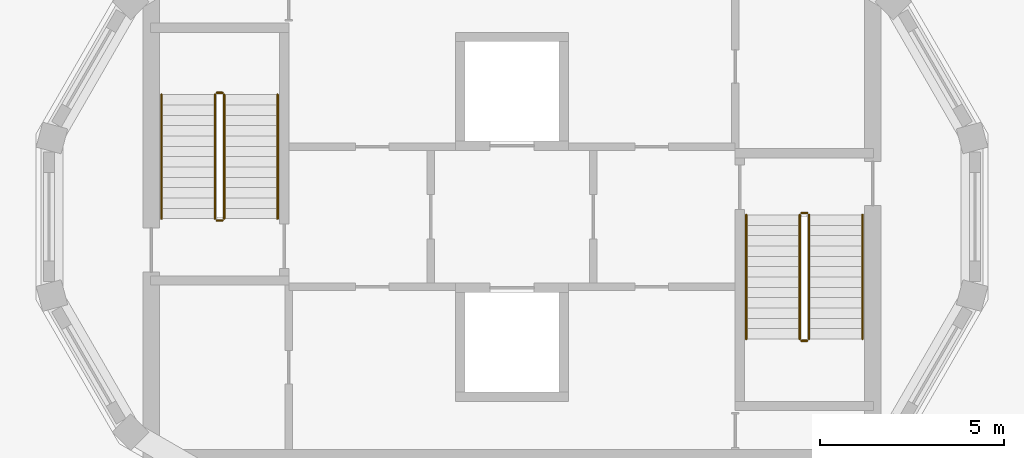
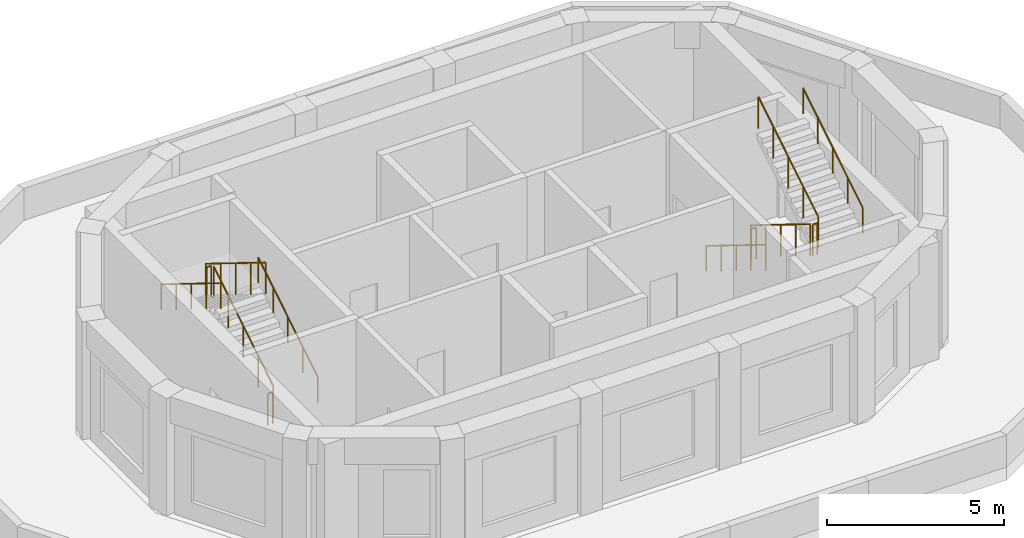
# One storey, part 4 of 4: 12 railings.
"""IFC4 building model written with IfcOpenShell, lengths in metres."""

from ifc_helpers import new_model, si_unit, direction, frame, origin, origin_2d, place, context, subcontext, project, spatial, circle, extrude, material, type_object, element, save


model = new_model("IFC4")

# Units and contexts
model_context = context("Model", 3, precision=1e-05, world=origin(), true_north=direction((0.0, 1.0)))
body_context = subcontext(model_context, "Body", "Model", "MODEL_VIEW")
ifc_project = project(units=[si_unit("LENGTHUNIT", "METRE"), si_unit("AREAUNIT", "SQUARE_METRE"), si_unit("VOLUMEUNIT", "CUBIC_METRE"), si_unit("PLANEANGLEUNIT", "RADIAN"), si_unit("MASSUNIT", "GRAM", prefix="KILO")], contexts=[model_context])

# Site, building, storey
site_placement = place(None, origin())
site = spatial("IfcSite", under=ifc_project, at=site_placement, CompositionType="ELEMENT")
building_placement = place(site_placement, origin())
building = spatial("IfcBuilding", under=site, at=building_placement, Name="Dhurran Vertical Campus", CompositionType="ELEMENT")
storey_placement = place(building_placement, frame((0.0, 0.0, 332.39990234375)))
storey = spatial("IfcBuildingStorey", under=building, at=storey_placement, Name="L81 Plant", CompositionType="ELEMENT", Elevation=332.39990234375)

# Railings
ifc_material_1 = material(Name="Stainless steel balustrade", Category="steel")
railing_type_1 = type_object("IfcRailingType", Name="co-RL-GUARD-1100", PredefinedType="GUARDRAIL", material=ifc_material_1)
railing_1_placement = place(storey_placement, frame((-7.800048828125, -0.050048828125, 0.173095703125)))
element("IfcRailing", 1, at=railing_1_placement, inside=storey, type_object=railing_type_1, Name="L81 Plant ST5 stair guard 1", PredefinedType="GUARDRAIL", context=body_context, shape_type="SweptSolid", body=[
    extrude(circle(Radius=0.02392578125, at=origin_2d()), frame((0.0, 0.0, 1.076171875), z_axis=(0.0, 0.850623216509, 0.525775754039), x_axis=(-1.0, 0.0, 0.0)), (0.0, 0.0, 1.0), 3.9501953125),
    extrude(circle(Radius=0.02099609375, at=origin_2d()), origin(), (0.0, 0.0, 1.0), 1.052001953125),
    extrude(circle(Radius=0.02099609375, at=origin_2d()), frame((0.0, 0.840087890625, 0.519287109375)), (0.0, 0.0, 1.0), 1.052001953125),
    extrude(circle(Radius=0.02099609375, at=origin_2d()), frame((0.0, 1.68017578125, 1.03857421875)), (0.0, 0.0, 1.0), 1.052001953125),
    extrude(circle(Radius=0.02099609375, at=origin_2d()), frame((0.0, 2.52001953125, 1.5576171875)), (0.0, 0.0, 1.0), 1.052001953125),
    extrude(circle(Radius=0.02099609375, at=origin_2d()), frame((0.0, 3.360107421875, 2.076904296875)), (0.0, 0.0, 1.0), 1.052001953125),
])
railing_2_placement = place(storey_placement, frame((-7.85009765625, 3.360107421875, 2.25)))
element("IfcRailing", 2, at=railing_2_placement, inside=storey, type_object=railing_type_1, Name="L81 Plant ST5 stair guard 2", PredefinedType="GUARDRAIL", context=body_context, shape_type="SweptSolid", body=[
    extrude(circle(Radius=0.02392578125, at=origin_2d()), frame((0.0, 0.0, 1.076171875), z_axis=(-1.0, 0.0, 0.0), x_axis=(0.0, -1.0, 0.0)), (0.0, 0.0, 1.0), 0.14990234375),
    extrude(circle(Radius=0.02099609375, at=origin_2d()), origin(), (0.0, 0.0, 1.0), 1.052001953125),
    extrude(circle(Radius=0.02099609375, at=origin_2d()), frame((-0.14990234375, 0.0, 0.0)), (0.0, 0.0, 1.0), 1.052001953125),
])
railing_3_placement = place(storey_placement, frame((-8.050048828125, 3.31005859375, 2.423095703125)))
element("IfcRailing", 3, at=railing_3_placement, inside=storey, type_object=railing_type_1, Name="L81 Plant ST5 stair guard 3", PredefinedType="GUARDRAIL", context=body_context, shape_type="SweptSolid", body=[
    extrude(circle(Radius=0.02392578125, at=origin_2d()), frame((0.0, 0.0, 1.076171875), z_axis=(0.0, -0.850623216509, 0.525775754039), x_axis=(1.0, 0.0, 0.0)), (0.0, 0.0, 1.0), 3.9501953125),
    extrude(circle(Radius=0.02099609375, at=origin_2d()), origin(), (0.0, 0.0, 1.0), 1.052001953125),
    extrude(circle(Radius=0.02099609375, at=origin_2d()), frame((0.0, -0.840087890625, 0.519287109375)), (0.0, 0.0, 1.0), 1.052001953125),
    extrude(circle(Radius=0.02099609375, at=origin_2d()), frame((0.0, -1.68017578125, 1.03857421875)), (0.0, 0.0, 1.0), 1.052001953125),
    extrude(circle(Radius=0.02099609375, at=origin_2d()), frame((0.0, -2.52001953125, 1.5576171875)), (0.0, 0.0, 1.0), 1.052001953125),
    extrude(circle(Radius=0.02099609375, at=origin_2d()), frame((0.0, -3.360107421875, 2.076904296875)), (0.0, 0.0, 1.0), 1.052001953125),
])
railing_4_placement = place(storey_placement, frame((-7.85009765625, -0.10009765625, 0.0)))
element("IfcRailing", 4, at=railing_4_placement, inside=storey, type_object=railing_type_1, Name="L81 Plant ST5 stair guard 4", PredefinedType="GUARDRAIL", context=body_context, shape_type="SweptSolid", body=[
    extrude(circle(Radius=0.02392578125, at=origin_2d()), frame((0.0, 0.0, 1.076171875), z_axis=(-1.0, 0.0, 0.0), x_axis=(0.0, -1.0, 0.0)), (0.0, 0.0, 1.0), 0.14990234375),
    extrude(circle(Radius=0.02099609375, at=origin_2d()), origin(), (0.0, 0.0, 1.0), 1.052001953125),
    extrude(circle(Radius=0.02099609375, at=origin_2d()), frame((-0.14990234375, 0.0, 0.0)), (0.0, 0.0, 1.0), 1.052001953125),
])
railing_5_placement = place(storey_placement, frame((7.800048828125, 0.050048828125, 0.173095703125)))
element("IfcRailing", 5, at=railing_5_placement, inside=storey, type_object=railing_type_1, Name="L81 Plant ST6 stair guard 1", PredefinedType="GUARDRAIL", context=body_context, shape_type="SweptSolid", body=[
    extrude(circle(Radius=0.02392578125, at=origin_2d()), frame((0.0, 0.0, 1.076171875), z_axis=(0.0, -0.850623216509, 0.525775754039), x_axis=(1.0, 0.0, 0.0)), (0.0, 0.0, 1.0), 3.9501953125),
    extrude(circle(Radius=0.02099609375, at=origin_2d()), origin(), (0.0, 0.0, 1.0), 1.052001953125),
    extrude(circle(Radius=0.02099609375, at=origin_2d()), frame((0.0, -0.840087890625, 0.519287109375)), (0.0, 0.0, 1.0), 1.052001953125),
    extrude(circle(Radius=0.02099609375, at=origin_2d()), frame((0.0, -1.68017578125, 1.03857421875)), (0.0, 0.0, 1.0), 1.052001953125),
    extrude(circle(Radius=0.02099609375, at=origin_2d()), frame((0.0, -2.52001953125, 1.5576171875)), (0.0, 0.0, 1.0), 1.052001953125),
    extrude(circle(Radius=0.02099609375, at=origin_2d()), frame((0.0, -3.360107421875, 2.076904296875)), (0.0, 0.0, 1.0), 1.052001953125),
])
railing_6_placement = place(storey_placement, frame((7.85009765625, -3.360107421875, 2.25)))
element("IfcRailing", 6, at=railing_6_placement, inside=storey, type_object=railing_type_1, Name="L81 Plant ST6 stair guard 2", PredefinedType="GUARDRAIL", context=body_context, shape_type="SweptSolid", body=[
    extrude(circle(Radius=0.02392578125, at=origin_2d()), frame((0.0, 0.0, 1.076171875), z_axis=(1.0, 0.0, 0.0), x_axis=(0.0, 1.0, 0.0)), (0.0, 0.0, 1.0), 0.14990234375),
    extrude(circle(Radius=0.02099609375, at=origin_2d()), origin(), (0.0, 0.0, 1.0), 1.052001953125),
    extrude(circle(Radius=0.02099609375, at=origin_2d()), frame((0.14990234375, 0.0, 0.0)), (0.0, 0.0, 1.0), 1.052001953125),
])
railing_7_placement = place(storey_placement, frame((8.050048828125, -3.31005859375, 2.423095703125)))
element("IfcRailing", 7, at=railing_7_placement, inside=storey, type_object=railing_type_1, Name="L81 Plant ST6 stair guard 3", PredefinedType="GUARDRAIL", context=body_context, shape_type="SweptSolid", body=[
    extrude(circle(Radius=0.02392578125, at=origin_2d()), frame((0.0, 0.0, 1.076171875), z_axis=(0.0, 0.850623216509, 0.525775754039), x_axis=(-1.0, 0.0, 0.0)), (0.0, 0.0, 1.0), 3.9501953125),
    extrude(circle(Radius=0.02099609375, at=origin_2d()), origin(), (0.0, 0.0, 1.0), 1.052001953125),
    extrude(circle(Radius=0.02099609375, at=origin_2d()), frame((0.0, 0.840087890625, 0.519287109375)), (0.0, 0.0, 1.0), 1.052001953125),
    extrude(circle(Radius=0.02099609375, at=origin_2d()), frame((0.0, 1.68017578125, 1.03857421875)), (0.0, 0.0, 1.0), 1.052001953125),
    extrude(circle(Radius=0.02099609375, at=origin_2d()), frame((0.0, 2.52001953125, 1.5576171875)), (0.0, 0.0, 1.0), 1.052001953125),
    extrude(circle(Radius=0.02099609375, at=origin_2d()), frame((0.0, 3.360107421875, 2.076904296875)), (0.0, 0.0, 1.0), 1.052001953125),
])
railing_8_placement = place(storey_placement, frame((7.85009765625, 0.10009765625, 0.0)))
element("IfcRailing", 8, at=railing_8_placement, inside=storey, type_object=railing_type_1, Name="L81 Plant ST6 stair guard 4", PredefinedType="GUARDRAIL", context=body_context, shape_type="SweptSolid", body=[
    extrude(circle(Radius=0.02392578125, at=origin_2d()), frame((0.0, 0.0, 1.076171875), z_axis=(1.0, 0.0, 0.0), x_axis=(0.0, 1.0, 0.0)), (0.0, 0.0, 1.0), 0.14990234375),
    extrude(circle(Radius=0.02099609375, at=origin_2d()), origin(), (0.0, 0.0, 1.0), 1.052001953125),
    extrude(circle(Radius=0.02099609375, at=origin_2d()), frame((0.14990234375, 0.0, 0.0)), (0.0, 0.0, 1.0), 1.052001953125),
])
ifc_material_2 = material(Name="Stainless steel handrail", Category="steel")
railing_type_2 = type_object("IfcRailingType", Name="co-RL-HANDRAIL-900", PredefinedType="HANDRAIL", material=ifc_material_2)
railing_9_placement = place(storey_placement, frame((-6.35009765625, -0.050048828125, 0.173095703125)))
element("IfcRailing", 9, at=railing_9_placement, inside=storey, type_object=railing_type_2, Name="L81 Plant ST5 stair handrail 1", PredefinedType="HANDRAIL", context=body_context, shape_type="SweptSolid", body=[
    extrude(circle(Radius=0.02392578125, at=origin_2d()), frame((0.0, 0.0, 0.8759765625), z_axis=(0.0, 0.850623216509, 0.525775754039), x_axis=(-1.0, 0.0, 0.0)), (0.0, 0.0, 1.0), 3.9501953125),
    extrude(circle(Radius=0.02099609375, at=origin_2d()), origin(), (0.0, 0.0, 1.0), 0.851806640625),
    extrude(circle(Radius=0.02099609375, at=origin_2d()), frame((0.0, 0.840087890625, 0.519287109375)), (0.0, 0.0, 1.0), 0.851806640625),
    extrude(circle(Radius=0.02099609375, at=origin_2d()), frame((0.0, 1.68017578125, 1.03857421875)), (0.0, 0.0, 1.0), 0.851806640625),
    extrude(circle(Radius=0.02099609375, at=origin_2d()), frame((0.0, 2.52001953125, 1.5576171875)), (0.0, 0.0, 1.0), 0.851806640625),
    extrude(circle(Radius=0.02099609375, at=origin_2d()), frame((0.0, 3.360107421875, 2.076904296875)), (0.0, 0.0, 1.0), 0.851806640625),
])
for number, where, name in (
    (10, (-9.5, 3.31005859375, 2.423095703125), "L81 Plant ST5 stair handrail 2"),
    (11, (6.35009765625, 0.050048828125, 0.173095703125), "L81 Plant ST6 stair handrail 1"),
):
    element("IfcRailing", number, at=place(storey_placement, frame(where)), inside=storey, type_object=railing_type_2, Name=name, PredefinedType="HANDRAIL", context=body_context, shape_type="SweptSolid", body=[
        extrude(circle(Radius=0.02392578125, at=origin_2d()), frame((0.0, 0.0, 0.8759765625), z_axis=(0.0, -0.850623216509, 0.525775754039), x_axis=(1.0, 0.0, 0.0)), (0.0, 0.0, 1.0), 3.9501953125),
        extrude(circle(Radius=0.02099609375, at=origin_2d()), origin(), (0.0, 0.0, 1.0), 0.851806640625),
        extrude(circle(Radius=0.02099609375, at=origin_2d()), frame((0.0, -0.840087890625, 0.519287109375)), (0.0, 0.0, 1.0), 0.851806640625),
        extrude(circle(Radius=0.02099609375, at=origin_2d()), frame((0.0, -1.68017578125, 1.03857421875)), (0.0, 0.0, 1.0), 0.851806640625),
        extrude(circle(Radius=0.02099609375, at=origin_2d()), frame((0.0, -2.52001953125, 1.5576171875)), (0.0, 0.0, 1.0), 0.851806640625),
        extrude(circle(Radius=0.02099609375, at=origin_2d()), frame((0.0, -3.360107421875, 2.076904296875)), (0.0, 0.0, 1.0), 0.851806640625),
    ])
railing_10_placement = place(storey_placement, frame((9.5, -3.31005859375, 2.423095703125)))
element("IfcRailing", 12, at=railing_10_placement, inside=storey, type_object=railing_type_2, Name="L81 Plant ST6 stair handrail 2", PredefinedType="HANDRAIL", context=body_context, shape_type="SweptSolid", body=[
    extrude(circle(Radius=0.02392578125, at=origin_2d()), frame((0.0, 0.0, 0.8759765625), z_axis=(0.0, 0.850623216509, 0.525775754039), x_axis=(-1.0, 0.0, 0.0)), (0.0, 0.0, 1.0), 3.9501953125),
    extrude(circle(Radius=0.02099609375, at=origin_2d()), origin(), (0.0, 0.0, 1.0), 0.851806640625),
    extrude(circle(Radius=0.02099609375, at=origin_2d()), frame((0.0, 0.840087890625, 0.519287109375)), (0.0, 0.0, 1.0), 0.851806640625),
    extrude(circle(Radius=0.02099609375, at=origin_2d()), frame((0.0, 1.68017578125, 1.03857421875)), (0.0, 0.0, 1.0), 0.851806640625),
    extrude(circle(Radius=0.02099609375, at=origin_2d()), frame((0.0, 2.52001953125, 1.5576171875)), (0.0, 0.0, 1.0), 0.851806640625),
    extrude(circle(Radius=0.02099609375, at=origin_2d()), frame((0.0, 3.360107421875, 2.076904296875)), (0.0, 0.0, 1.0), 0.851806640625),
])

save(model, "model.ifc")
